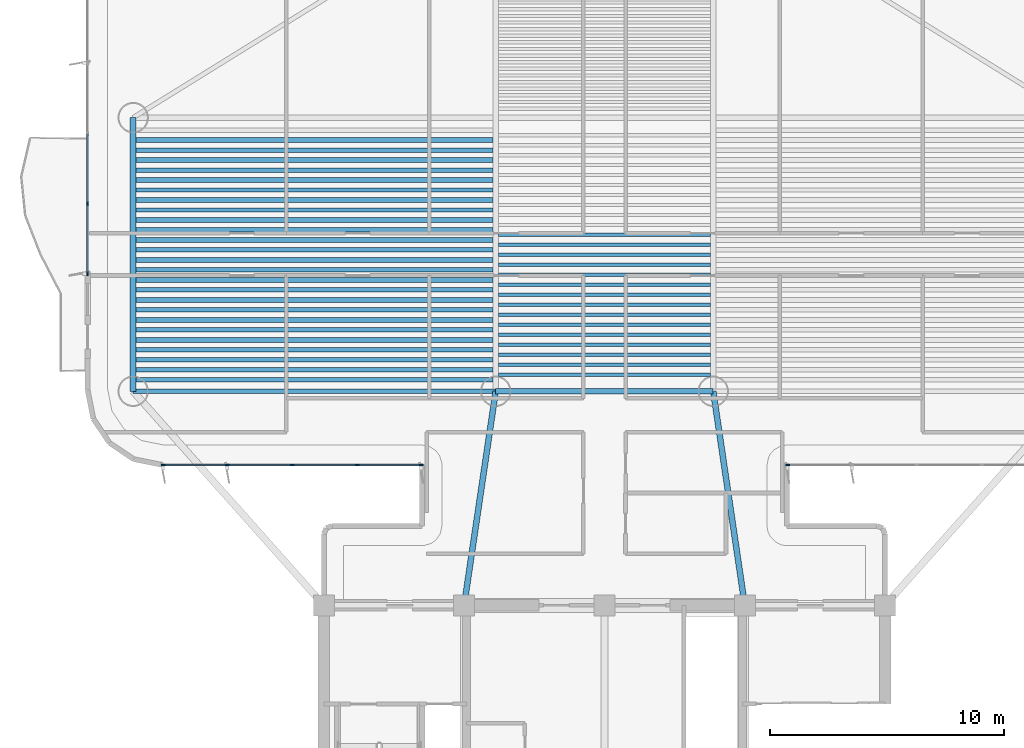
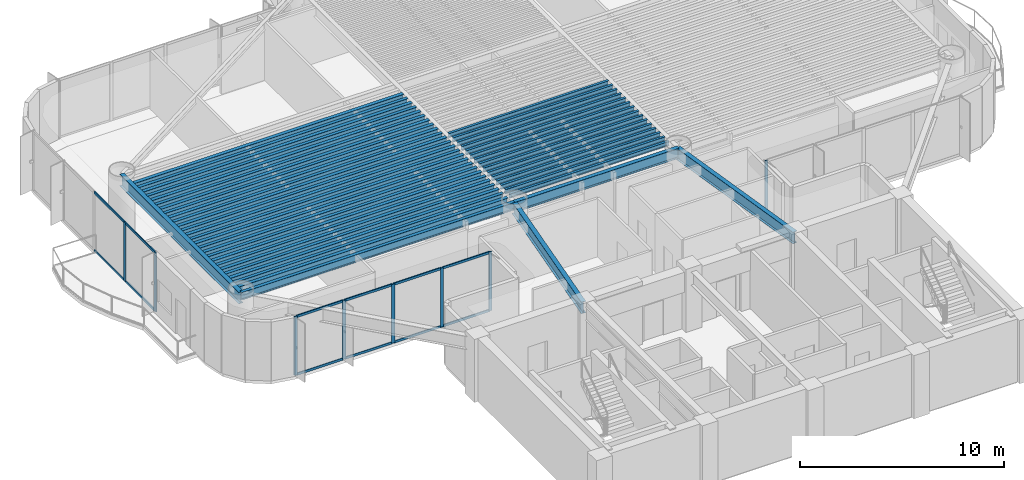
# One storey, part 2 of 16: 45 beams, 20 members, 3 elements without a shape of their own.
"""IFC4 building model written with IfcOpenShell, lengths in metres."""

import ifcopenshell
import ifcopenshell.guid

model = None  # the IFC model being written
_history = None  # IfcOwnerHistory: only IFC2X3 demands one
_inside = {}  # id of a spatial element -> (the spatial element, [elements in it])
_under = {}  # id of a project, library or spatial element -> (it, [spatial elements below it])
_declared = {}  # id of a project -> (the project, [libraries it declares])
_typed = {}  # id of a type object -> (the type object, [elements of that type])
_made_of = {}  # id of a material, layer set ... -> (it, [elements and type objects made of it])


def new_model(schema):
    """Start an empty IFC model of exactly this schema.

    Asked for "IFC4X3", IfcOpenShell would pick the latest addendum, in which some entities
    have other attributes; the version numbers below select the first issue.
    IFC2X3 requires an IfcOwnerHistory on every rooted entity: one is made here for all.
    """
    global model, _history
    if schema == "IFC4X3":
        model = ifcopenshell.file(schema_version=(4, 3, 0, 0))
    else:
        model = ifcopenshell.file(schema=schema)
    _inside.clear()
    _under.clear()
    _declared.clear()
    _typed.clear()
    _made_of.clear()
    _history = None
    if model.schema == "IFC2X3":
        org = make("IfcOrganization", Name="unknown")
        user = make(
            "IfcPersonAndOrganization",
            ThePerson=make("IfcPerson", FamilyName="unknown"),
            TheOrganization=org,
        )
        app = make(
            "IfcApplication",
            ApplicationDeveloper=org,
            Version="unknown",
            ApplicationFullName="unknown",
            ApplicationIdentifier="unknown",
        )
        _history = make(
            "IfcOwnerHistory",
            OwningUser=user,
            OwningApplication=app,
            ChangeAction="ADDED",
            CreationDate=0,
        )
    return model


def make(cls, **values):
    """One entity of the class cls with the attributes given. An attribute that is None is left unset."""
    return model.create_entity(
        cls, **{name: value for name, value in values.items() if value is not None}
    )


def rooted(cls, **values):
    """An entity with a GlobalId (a new one), such as an element, a storey or a relation."""
    return make(cls, GlobalId=ifcopenshell.guid.new(), OwnerHistory=_history, **values)


def si_unit(unit_type, name, prefix=None):
    """IfcSIUnit, for example si_unit("LENGTHUNIT", "METRE", prefix="MILLI")."""
    return make("IfcSIUnit", UnitType=unit_type, Prefix=prefix, Name=name)


def assignment(units):
    """IfcUnitAssignment: the units of a project."""
    return None if units is None else make("IfcUnitAssignment", Units=units)


def point(xyz):
    """IfcCartesianPoint."""
    return None if xyz is None else make("IfcCartesianPoint", Coordinates=xyz)


def direction(xyz):
    """IfcDirection."""
    return None if xyz is None else make("IfcDirection", DirectionRatios=xyz)


def frame(location, z_axis=None, x_axis=None):
    """IfcAxis2Placement3D, a coordinate frame: its origin and axes. An axis left out is left unset."""
    return make(
        "IfcAxis2Placement3D",
        Location=point(location),
        Axis=direction(z_axis),
        RefDirection=direction(x_axis),
    )


def frame_2d(location, x_axis=None):
    """IfcAxis2Placement2D, a coordinate frame in the plane: its origin and x axis."""
    return make(
        "IfcAxis2Placement2D", Location=point(location), RefDirection=direction(x_axis)
    )


def origin():
    """The frame at (0, 0, 0) with its axes left unset."""
    return frame((0.0, 0.0, 0.0))


def origin_2d():
    """The frame at (0, 0) in the plane with its x axis left unset."""
    return frame_2d((0.0, 0.0))


def place(relative_to, where):
    """IfcLocalPlacement: puts the frame where relative to a parent placement (None: the world)."""
    return make(
        "IfcLocalPlacement", PlacementRelTo=relative_to, RelativePlacement=where
    )


def context(
    kind, dimensions, precision=None, world=None, true_north=None, identifier=None
):
    """IfcGeometricRepresentationContext, for example the 3D "Model" context."""
    return make(
        "IfcGeometricRepresentationContext",
        ContextIdentifier=identifier,
        ContextType=kind,
        CoordinateSpaceDimension=dimensions,
        Precision=precision,
        WorldCoordinateSystem=world,
        TrueNorth=true_north,
    )


def subcontext(parent, identifier, kind, view, scale=None):
    """IfcGeometricRepresentationSubContext, for example "Body" below "Model"."""
    return make(
        "IfcGeometricRepresentationSubContext",
        ContextIdentifier=identifier,
        ContextType=kind,
        ParentContext=parent,
        TargetScale=scale,
        TargetView=view,
    )


def project(units=None, contexts=None):
    """IfcProject with its units and contexts."""
    return rooted(
        "IfcProject",
        Name="project",
        RepresentationContexts=contexts,
        UnitsInContext=assignment(units),
    )


def spatial(cls, under=None, at=None, **own):
    """A site, building, storey or space (cls), placed at a placement, below another one or the project."""
    s = rooted(cls, ObjectPlacement=at, **own)
    if under is not None:
        _under.setdefault(under.id(), (under, []))[1].append(s)
    return s


def profile(cls, at=None, kind="AREA", **sizes):
    """A parametric profile (cls). Its sizes go by their IFC names, for example OverallWidth=200.0."""
    return make(cls, ProfileType=kind, Position=at, **sizes)


def rectangle(**sizes):
    """IfcRectangleProfileDef."""
    return profile("IfcRectangleProfileDef", **sizes)


def i_section(**sizes):
    """IfcIShapeProfileDef."""
    return profile("IfcIShapeProfileDef", **sizes)


def extrude(swept, where, along, depth):
    """IfcExtrudedAreaSolid: the profile swept, set in the frame where, extruded along a direction by depth."""
    return make(
        "IfcExtrudedAreaSolid",
        SweptArea=swept,
        Position=where,
        ExtrudedDirection=direction(along),
        Depth=depth,
    )


def shape(context_of_items, identifier, shape_type, items):
    """IfcShapeRepresentation: the items that make up one representation, for example the "Body"."""
    return make(
        "IfcShapeRepresentation",
        ContextOfItems=context_of_items,
        RepresentationIdentifier=identifier,
        RepresentationType=shape_type,
        Items=items,
    )


def source(mapping_origin, context_of_items, identifier, shape_type, items):
    """IfcRepresentationMap: a shape defined once, which mapped items show again and again."""
    return make(
        "IfcRepresentationMap",
        MappingOrigin=mapping_origin,
        MappedRepresentation=shape(context_of_items, identifier, shape_type, items),
    )


def transform(
    local_origin,
    x_axis=None,
    y_axis=None,
    z_axis=None,
    scale=None,
    scale2=None,
    scale3=None,
    uniform=True,
):
    """IfcCartesianTransformationOperator3D, or its non-uniform kind. x_axis, y_axis, z_axis: its Axis1, 2, 3."""
    if uniform:
        return make(
            "IfcCartesianTransformationOperator3D",
            Axis1=direction(x_axis),
            Axis2=direction(y_axis),
            LocalOrigin=point(local_origin),
            Scale=scale,
            Axis3=direction(z_axis),
        )
    return make(
        "IfcCartesianTransformationOperator3DnonUniform",
        Axis1=direction(x_axis),
        Axis2=direction(y_axis),
        LocalOrigin=point(local_origin),
        Scale=scale,
        Axis3=direction(z_axis),
        Scale2=scale2,
        Scale3=scale3,
    )


def mapped(mapping_source, mapping_target):
    """IfcMappedItem: shows the shape of a source again, moved by a transform."""
    return make(
        "IfcMappedItem", MappingSource=mapping_source, MappingTarget=mapping_target
    )


def material(Name=None, Category=None):
    """IfcMaterial."""
    return make("IfcMaterial", Name=Name, Category=Category)


def layer(
    of_material, thickness, ventilated=None, Name=None, Category=None, Priority=None
):
    """IfcMaterialLayer: one layer of a wall or slab, of a material (None: an air gap)."""
    return make(
        "IfcMaterialLayer",
        Material=of_material,
        LayerThickness=thickness,
        IsVentilated=ventilated,
        Name=Name,
        Category=Category,
        Priority=Priority,
    )


def layer_set(layers, Name=None):
    """IfcMaterialLayerSet."""
    return make("IfcMaterialLayerSet", MaterialLayers=layers, LayerSetName=Name)


def material_profile(
    of_material, cross_section, Name=None, Category=None, Priority=None
):
    """IfcMaterialProfile: a cross section and its material."""
    return make(
        "IfcMaterialProfile",
        Name=Name,
        Material=of_material,
        Profile=cross_section,
        Priority=Priority,
        Category=Category,
    )


def profile_set(profiles, Name=None, composite=None):
    """IfcMaterialProfileSet."""
    return make(
        "IfcMaterialProfileSet",
        Name=Name,
        MaterialProfiles=profiles,
        CompositeProfile=composite,
    )


def made_of(thing, what):
    """Note that an element or type object is made of a material, layer set ...; save() writes the relation."""
    if what is not None:
        _made_of.setdefault(what.id(), (what, []))[1].append(thing)
    return thing


def type_object(cls, material=None, **own):
    """A type object (cls), such as IfcWallType, which elements share."""
    return made_of(rooted(cls, **own), material)


def element(
    cls,
    number,
    at=None,
    inside=None,
    cuts=None,
    type_object=None,
    material=None,
    context=None,
    identifier="Body",
    shape_type=None,
    held_by="IfcProductDefinitionShape",
    body=None,
    shapes=None,
    **own,
):
    """One element of the class cls, such as IfcWall. Its Tag is "e" and its number.

    at: its placement. inside: the storey or other place that contains it. cuts: it is an
    opening in that element (IfcRelVoidsElement). A single representation is given by context,
    identifier, shape_type and body (its items); several are given by shapes. held_by: the class
    of the entity that holds the representations. save() writes the other relations.
    """
    e = rooted(cls, Tag="e%d" % number, ObjectPlacement=at, **own)
    if body is not None:
        shapes = [shape(context, identifier, shape_type, body)]
    if shapes is not None:
        e.Representation = make(held_by, Representations=shapes)
    if inside is not None:
        _inside.setdefault(inside.id(), (inside, []))[1].append(e)
    if cuts is not None:
        rooted(
            "IfcRelVoidsElement", RelatingBuildingElement=cuts, RelatedOpeningElement=e
        )
    if type_object is not None:
        _typed.setdefault(type_object.id(), (type_object, []))[1].append(e)
    return made_of(e, material)


def aggregate(whole, parts):
    """IfcRelAggregates: a whole, such as a stair, and the parts it consists of."""
    return rooted("IfcRelAggregates", RelatingObject=whole, RelatedObjects=parts)


def save(model, path):
    """Write the relations noted so far, then the file.

    IfcRelAggregates (storeys below a building ...), IfcRelContainedInSpatialStructure (elements
    in a storey), IfcRelDefinesByType, IfcRelAssociatesMaterial and IfcRelDeclares: one each for
    every whole, place, type object, material and project.
    """
    for whole, parts in _under.values():
        aggregate(whole, parts)
    for where, things in _inside.values():
        rooted(
            "IfcRelContainedInSpatialStructure",
            RelatedElements=things,
            RelatingStructure=where,
        )
    for kind, things in _typed.values():
        rooted("IfcRelDefinesByType", RelatedObjects=things, RelatingType=kind)
    for what, things in _made_of.values():
        rooted("IfcRelAssociatesMaterial", RelatedObjects=things, RelatingMaterial=what)
    for by, libraries in _declared.values():
        rooted("IfcRelDeclares", RelatingContext=by, RelatedDefinitions=libraries)
    model.write(path)


model = new_model("IFC4")

# Units and contexts
model_context = context("Model", 3, precision=1e-05, world=origin(), true_north=direction((0.0, 1.0)))
body_context = subcontext(model_context, "Body", "Model", "MODEL_VIEW")
ifc_project = project(units=[si_unit("LENGTHUNIT", "METRE"), si_unit("AREAUNIT", "SQUARE_METRE"), si_unit("VOLUMEUNIT", "CUBIC_METRE"), si_unit("PLANEANGLEUNIT", "RADIAN"), si_unit("MASSUNIT", "GRAM", prefix="KILO")], contexts=[model_context])

# Site, building, storey
site_placement = place(None, origin())
site = spatial("IfcSite", under=ifc_project, at=site_placement, CompositionType="ELEMENT")
building_placement = place(site_placement, origin())
building = spatial("IfcBuilding", under=site, at=building_placement, Name="Brelvock Crest Care Tower", CompositionType="ELEMENT")
storey_placement = place(building_placement, frame((0.0, 0.0, 116.280029296875)))
storey = spatial("IfcBuildingStorey", under=building, at=storey_placement, Name="L29", CompositionType="ELEMENT", Elevation=116.280029296875)

# Beams
ifc_material_1 = material(Name="Steel Grade 350", Category="steel")
ifc_material_profile_1 = material_profile(ifc_material_1, i_section(OverallWidth=0.22900390625, OverallDepth=0.612060546875, WebThickness=0.011962890625, FlangeThickness=0.01953125, FilletRadius=0.013916015625, at=origin_2d()), Name="610UB125")
ifc_profile_set_1 = profile_set([ifc_material_profile_1], Name="Steel Grade 350")
beam_type_1 = type_object("IfcBeamType", Name="BM-G1", PredefinedType="BEAM", material=ifc_profile_set_1)
shared_shape_1 = source(origin(), body_context, "Body", "SweptSolid", [
    extrude(i_section(OverallWidth=0.22900390625, OverallDepth=0.612060546875, WebThickness=0.011962890625, FlangeThickness=0.01953125, FilletRadius=0.013916015625, at=origin_2d()), origin(), (0.0, 0.0, 1.0), 9.2998046875),
])
beam_1_placement = place(storey_placement, frame((31.35009765625, 27.14990234375, 3.223876953125), z_axis=(1.0, 0.0, 0.0), x_axis=(0.0, 1.0, 0.0)))
element("IfcBeam", 1, at=beam_1_placement, inside=storey, type_object=beam_type_1, Name="BM-TWR-L29-05", PredefinedType="BEAM", context=body_context, shape_type="MappedRepresentation", body=[
    mapped(shared_shape_1, transform((0.0, 0.0, 0.0), x_axis=(1.0, 0.0, 0.0), y_axis=(0.0, 1.0, 0.0), z_axis=(0.0, 0.0, 1.0), scale=1.0)),
])
ifc_material_profile_2 = material_profile(ifc_material_1, i_section(OverallWidth=0.14599609375, OverallDepth=0.256103515625, WebThickness=0.00634765625, FlangeThickness=0.010986328125, FilletRadius=0.0087890625, at=origin_2d()), Name="250UB37.3")
ifc_profile_set_2 = profile_set([ifc_material_profile_2], Name="Steel Grade 350")
beam_type_2 = type_object("IfcBeamType", Name="BM-J3", PredefinedType="JOIST", material=ifc_profile_set_2)
shared_shape_2 = source(origin(), body_context, "Body", "SweptSolid", [
    extrude(i_section(OverallWidth=0.14599609375, OverallDepth=0.256103515625, WebThickness=0.00634765625, FlangeThickness=0.010986328125, FilletRadius=0.0087890625, at=origin_2d()), origin(), (0.0, 0.0, 1.0), 9.06982421875),
])
for number, where, z_axis, x_axis, name in (
    (2, (31.465087890625, 27.85498046875, 3.40185546875), (1.0, 0.0, 0.0), (0.0, 1.0, 0.0), "BM-JH-L29-1"),
    (3, (31.465087890625, 28.281982421875, 3.40185546875), (1.0, 0.0, 0.0), (0.0, 1.0, 0.0), "BM-JH-L29-2"),
    (4, (31.465087890625, 28.708984375, 3.40185546875), (1.0, 0.0, 0.0), (0.0, 1.0, 0.0), "BM-JH-L29-3"),
    (5, (31.465087890625, 29.135986328125, 3.40185546875), (1.0, 0.0, 0.0), (0.0, 1.0, 0.0), "BM-JH-L29-4"),
    (6, (31.465087890625, 29.56298828125, 3.40185546875), (1.0, 0.0, 0.0), (0.0, 1.0, 0.0), "BM-JH-L29-5"),
    (7, (31.465087890625, 29.990234375, 3.40185546875), (1.0, 0.0, 0.0), (0.0, 1.0, 0.0), "BM-JH-L29-6"),
    (8, (31.465087890625, 30.417236328125, 3.40185546875), (1.0, 0.0, 0.0), (0.0, 1.0, 0.0), "BM-JH-L29-7"),
    (9, (31.465087890625, 30.84423828125, 3.40185546875), (1.0, 0.0, 0.0), (0.0, 1.0, 0.0), "BM-JH-L29-8"),
    (10, (31.465087890625, 31.271240234375, 3.40185546875), (1.0, 0.0, 0.0), (0.0, 1.0, 0.0), "BM-JH-L29-9"),
    (11, (31.465087890625, 31.698486328125, 3.40185546875), (1.0, 0.0, 0.0), (0.0, 1.0, 0.0), "BM-JH-L29-10"),
    (12, (31.465087890625, 32.12548828125, 3.40185546875), (1.0, 0.0, 0.0), (0.0, 1.0, 0.0), "BM-JH-L29-11"),
    (13, (31.465087890625, 32.552490234375, 3.40185546875), (1.0, 0.0, 0.0), (0.0, 1.0, 0.0), "BM-JH-L29-12"),
    (14, (31.465087890625, 32.9794921875, 3.40185546875), (1.0, 0.0, 0.0), (0.0, 1.0, 0.0), "BM-JH-L29-13"),
    (15, (31.465087890625, 33.406494140625, 3.40185546875), (1.0, 0.0, 0.0), (0.0, 1.0, 0.0), "BM-JH-L29-14"),
    (16, (31.465087890625, 33.83349609375, 3.40185546875), (1.0, 0.0, 0.0), (0.0, 1.0, 0.0), "BM-JH-L29-15"),
):
    element("IfcBeam", number, at=place(storey_placement, frame(where, z_axis=z_axis, x_axis=x_axis)), inside=storey, type_object=beam_type_2, Name=name, PredefinedType="JOIST", context=body_context, shape_type="MappedRepresentation", body=[
        mapped(shared_shape_2, transform((0.0, 0.0, 0.0), x_axis=(1.0, 0.0, 0.0), y_axis=(0.0, 1.0, 0.0), z_axis=(0.0, 0.0, 1.0), scale=1.0)),
    ])
ifc_material_profile_3 = material_profile(ifc_material_1, i_section(OverallWidth=0.208984375, OverallDepth=0.532958984375, WebThickness=0.01025390625, FlangeThickness=0.015625, FilletRadius=0.013916015625, at=origin_2d()), Name="530UB92.4")
ifc_profile_set_3 = profile_set([ifc_material_profile_3], Name="Steel Grade 350")
beam_type_3 = type_object("IfcBeamType", Name="BM-G2", PredefinedType="BEAM", material=ifc_profile_set_3)
shared_shape_3 = source(origin(), body_context, "Body", "SweptSolid", [
    extrude(i_section(OverallWidth=0.208984375, OverallDepth=0.532958984375, WebThickness=0.01025390625, FlangeThickness=0.015625, FilletRadius=0.013916015625, at=origin_2d()), origin(), (0.0, 0.0, 1.0), 15.27001953125),
])
for number, where, z_axis, x_axis, name in (
    (17, (15.965087890625, 27.641357421875, 3.263427734375), (1.0, 0.0, 0.0), (0.0, 1.0, 0.0), "BM-JW-L29-1"),
    (18, (15.965087890625, 28.49560546875, 3.263427734375), (1.0, 0.0, 0.0), (0.0, 1.0, 0.0), "BM-JW-L29-3"),
    (19, (15.965087890625, 29.349609375, 3.263427734375), (1.0, 0.0, 0.0), (0.0, 1.0, 0.0), "BM-JW-L29-5"),
    (20, (15.965087890625, 30.20361328125, 3.263427734375), (1.0, 0.0, 0.0), (0.0, 1.0, 0.0), "BM-JW-L29-7"),
    (21, (15.965087890625, 31.057861328125, 3.263427734375), (1.0, 0.0, 0.0), (0.0, 1.0, 0.0), "BM-JW-L29-9"),
    (22, (15.965087890625, 31.911865234375, 3.263427734375), (1.0, 0.0, 0.0), (0.0, 1.0, 0.0), "BM-JW-L29-11"),
    (23, (15.965087890625, 32.76611328125, 3.263427734375), (1.0, 0.0, 0.0), (0.0, 1.0, 0.0), "BM-JW-L29-13"),
    (24, (15.965087890625, 33.6201171875, 3.263427734375), (1.0, 0.0, 0.0), (0.0, 1.0, 0.0), "BM-JW-L29-15"),
    (25, (15.965087890625, 34.47412109375, 3.263427734375), (1.0, 0.0, 0.0), (0.0, 1.0, 0.0), "BM-JW-L29-17"),
    (26, (15.965087890625, 35.328369140625, 3.263427734375), (1.0, 0.0, 0.0), (0.0, 1.0, 0.0), "BM-JW-L29-19"),
    (27, (15.965087890625, 36.182373046875, 3.263427734375), (1.0, 0.0, 0.0), (0.0, 1.0, 0.0), "BM-JW-L29-21"),
    (28, (15.965087890625, 37.03662109375, 3.263427734375), (1.0, 0.0, 0.0), (0.0, 1.0, 0.0), "BM-JW-L29-23"),
    (29, (15.965087890625, 37.890625, 3.263427734375), (1.0, 0.0, 0.0), (0.0, 1.0, 0.0), "BM-JW-L29-25"),
):
    element("IfcBeam", number, at=place(storey_placement, frame(where, z_axis=z_axis, x_axis=x_axis)), inside=storey, type_object=beam_type_3, Name=name, PredefinedType="BEAM", context=body_context, shape_type="MappedRepresentation", body=[
        mapped(shared_shape_3, transform((0.0, 0.0, 0.0), x_axis=(1.0, 0.0, 0.0), y_axis=(0.0, 1.0, 0.0), z_axis=(0.0, 0.0, 1.0), scale=1.0)),
    ])
ifc_material_profile_4 = material_profile(ifc_material_1, i_section(OverallWidth=0.19091796875, OverallDepth=0.4599609375, WebThickness=0.010009765625, FlangeThickness=0.01611328125, FilletRadius=0.011474609375, at=origin_2d()), Name="460UB82.1")
ifc_profile_set_4 = profile_set([ifc_material_profile_4], Name="Steel Grade 350")
beam_type_4 = type_object("IfcBeamType", Name="BM-G3", PredefinedType="BEAM", material=ifc_profile_set_4)
shared_shape_4 = source(origin(), body_context, "Body", "SweptSolid", [
    extrude(i_section(OverallWidth=0.19091796875, OverallDepth=0.4599609375, WebThickness=0.010009765625, FlangeThickness=0.01611328125, FilletRadius=0.011474609375, at=origin_2d()), origin(), (0.0, 0.0, 1.0), 15.27001953125),
])
for number, where, z_axis, x_axis, name in (
    (30, (15.965087890625, 28.068359375, 3.300048828125), (1.0, 0.0, 0.0), (0.0, 1.0, 0.0), "BM-JW-L29-2"),
    (31, (15.965087890625, 28.922607421875, 3.300048828125), (1.0, 0.0, 0.0), (0.0, 1.0, 0.0), "BM-JW-L29-4"),
    (32, (15.965087890625, 29.776611328125, 3.300048828125), (1.0, 0.0, 0.0), (0.0, 1.0, 0.0), "BM-JW-L29-6"),
    (33, (15.965087890625, 30.630615234375, 3.300048828125), (1.0, 0.0, 0.0), (0.0, 1.0, 0.0), "BM-JW-L29-8"),
    (34, (15.965087890625, 31.48486328125, 3.300048828125), (1.0, 0.0, 0.0), (0.0, 1.0, 0.0), "BM-JW-L29-10"),
    (35, (15.965087890625, 32.3388671875, 3.300048828125), (1.0, 0.0, 0.0), (0.0, 1.0, 0.0), "BM-JW-L29-12"),
    (36, (15.965087890625, 33.193115234375, 3.300048828125), (1.0, 0.0, 0.0), (0.0, 1.0, 0.0), "BM-JW-L29-14"),
    (37, (15.965087890625, 34.047119140625, 3.300048828125), (1.0, 0.0, 0.0), (0.0, 1.0, 0.0), "BM-JW-L29-16"),
    (38, (15.965087890625, 34.901123046875, 3.300048828125), (1.0, 0.0, 0.0), (0.0, 1.0, 0.0), "BM-JW-L29-18"),
    (39, (15.965087890625, 35.75537109375, 3.300048828125), (1.0, 0.0, 0.0), (0.0, 1.0, 0.0), "BM-JW-L29-20"),
    (40, (15.965087890625, 36.609619140625, 3.300048828125), (1.0, 0.0, 0.0), (0.0, 1.0, 0.0), "BM-JW-L29-22"),
    (41, (15.965087890625, 37.46337890625, 3.300048828125), (1.0, 0.0, 0.0), (0.0, 1.0, 0.0), "BM-JW-L29-24"),
):
    element("IfcBeam", number, at=place(storey_placement, frame(where, z_axis=z_axis, x_axis=x_axis)), inside=storey, type_object=beam_type_4, Name=name, PredefinedType="BEAM", context=body_context, shape_type="MappedRepresentation", body=[
        mapped(shared_shape_4, transform((0.0, 0.0, 0.0), x_axis=(1.0, 0.0, 0.0), y_axis=(0.0, 1.0, 0.0), z_axis=(0.0, 0.0, 1.0), scale=1.0)),
    ])
ifc_material_profile_5 = material_profile(ifc_material_1, i_section(OverallWidth=0.25, OverallDepth=0.699951171875, WebThickness=0.011962890625, FlangeThickness=0.02001953125, at=origin_2d()), Name="700WB150")
ifc_profile_set_5 = profile_set([ifc_material_profile_5], Name="Steel Grade 350")
beam_type_5 = type_object("IfcBeamType", Name="BM-G4", PredefinedType="BEAM", material=ifc_profile_set_5)
shared_shape_5 = source(origin(), body_context, "Body", "SweptSolid", [
    extrude(i_section(OverallWidth=0.25, OverallDepth=0.699951171875, WebThickness=0.011962890625, FlangeThickness=0.02001953125, at=origin_2d()), origin(), (0.0, 0.0, 1.0), 11.7001953125),
])
beam_2_placement = place(storey_placement, frame((15.85009765625, 27.14990234375, 3.179931640625), z_axis=(0.0, 1.0, 0.0), x_axis=(-1.0, 0.0, 0.0)))
element("IfcBeam", 42, at=beam_2_placement, inside=storey, type_object=beam_type_5, Name="BM-TWR-L29-01", PredefinedType="BEAM", context=body_context, shape_type="MappedRepresentation", body=[
    mapped(shared_shape_5, transform((0.0, 0.0, 0.0), x_axis=(1.0, 0.0, 0.0), y_axis=(0.0, 1.0, 0.0), z_axis=(0.0, 0.0, 1.0), scale=1.0)),
])
ifc_material_profile_6 = material_profile(ifc_material_1, i_section(OverallWidth=0.19091796875, OverallDepth=0.4599609375, WebThickness=0.010009765625, FlangeThickness=0.01611328125, FilletRadius=0.011474609375, at=origin_2d()), Name="460UB82.1")
ifc_profile_set_6 = profile_set([ifc_material_profile_6], Name="Steel Grade 350")
beam_type_6 = type_object("IfcBeamType", Name="BM-SP2", PredefinedType="SPANDREL", material=ifc_profile_set_6)
shared_shape_6 = source(origin(), body_context, "Body", "SweptSolid", [
    extrude(i_section(OverallWidth=0.19091796875, OverallDepth=0.4599609375, WebThickness=0.010009765625, FlangeThickness=0.01611328125, FilletRadius=0.011474609375, at=origin_2d()), origin(), (0.0, 0.0, 1.0), 15.5),
])
beam_3_placement = place(storey_placement, frame((15.85009765625, 27.14990234375, 3.300048828125), z_axis=(1.0, 0.0, 0.0), x_axis=(0.0, 1.0, 0.0)))
element("IfcBeam", 43, at=beam_3_placement, inside=storey, type_object=beam_type_6, Name="BM-TWR-L29-03", PredefinedType="SPANDREL", context=body_context, shape_type="MappedRepresentation", body=[
    mapped(shared_shape_6, transform((0.0, 0.0, 0.0), x_axis=(1.0, 0.0, 0.0), y_axis=(0.0, 1.0, 0.0), z_axis=(0.0, 0.0, 1.0), scale=1.0)),
])
shared_shape_7 = source(origin(), body_context, "Body", "SweptSolid", [
    extrude(i_section(OverallWidth=0.25, OverallDepth=0.699951171875, WebThickness=0.011962890625, FlangeThickness=0.02001953125, at=origin_2d()), origin(), (0.0, 0.0, 1.0), 9.2490234375),
])
for number, where, z_axis, x_axis, name in (
    (44, (30.0, 18.0, 3.179931640625), (0.145972731602, 0.989288613918, 0.0), (-0.989288613918, 0.145972731602, 0.0), "BM-THRW-L29"),
    (45, (42.0, 18.0, 3.179931640625), (-0.145972731602, 0.989288613918, 0.0), (-0.989288613918, -0.145972731602, 0.0), "BM-THRE-L29"),
):
    element("IfcBeam", number, at=place(storey_placement, frame(where, z_axis=z_axis, x_axis=x_axis)), inside=storey, type_object=beam_type_5, Name=name, PredefinedType="BEAM", context=body_context, shape_type="MappedRepresentation", body=[
        mapped(shared_shape_7, transform((0.0, 0.0, 0.0), x_axis=(1.0, 0.0, 0.0), y_axis=(0.0, 1.0, 0.0), z_axis=(0.0, 0.0, 1.0), scale=1.0)),
    ])

# Curtain wall, members
ifc_material_2 = material(Name="Dark Glass Double Glazed Low-E", Category="glass")
ifc_layer = layer(ifc_material_2, 0.2099609375, Name="CWS-3")
ifc_layer_set = layer_set([ifc_layer], Name="Dark Glass Double Glazed Low-E")
curtain_wall_type = type_object("IfcCurtainWallType", Name="CWS-3", PredefinedType="NOTDEFINED", material=ifc_layer_set)
curtain_wall_1_placement = place(storey_placement, origin())
curtain_wall_1 = element("IfcCurtainWall", 46, at=curtain_wall_1_placement, inside=storey, type_object=curtain_wall_type, Name="L29 Curtain Wall E12", PredefinedType="NOTDEFINED")
ifc_material_3 = material(Name="Aluminium 6063-T6", Category="aluminium")
ifc_material_profile_7 = material_profile(ifc_material_3, rectangle(XDim=0.06005859375, YDim=0.179931640625, at=origin_2d()), Name="ALU60x180")
ifc_profile_set_7 = profile_set([ifc_material_profile_7], Name="Aluminium 6063-T6")
member_type_1 = type_object("IfcMemberType", Name="CWM-2", PredefinedType="MULLION", material=ifc_profile_set_7)
shared_shape_8 = source(origin(), body_context, "Body", "SweptSolid", [
    extrude(rectangle(XDim=0.06005859375, YDim=0.179931640625, at=origin_2d()), origin(), (0.0, 0.0, 1.0), 3.530029296875),
])
member_1_placement = place(storey_placement, frame((28.169921875, 24.0, 0.0), z_axis=(0.0, 0.0, 1.0), x_axis=(0.0, -1.0, 0.0)))
member_1 = element("IfcMember", 47, at=member_1_placement, type_object=member_type_1, Name="CW-3 mullion 1", PredefinedType="MULLION", context=body_context, shape_type="MappedRepresentation", body=[
    mapped(shared_shape_8, transform((0.0, 0.0, 0.0), x_axis=(1.0, 0.0, 0.0), y_axis=(0.0, 1.0, 0.0), z_axis=(0.0, 0.0, 1.0), scale=1.0)),
])
member_2_placement = place(storey_placement, frame((25.425048828125, 24.0, 0.0), z_axis=(0.0, 0.0, 1.0), x_axis=(0.0, -1.0, 0.0)))
member_2 = element("IfcMember", 48, at=member_2_placement, type_object=member_type_1, Name="CW-3 mullion 2", PredefinedType="MULLION", context=body_context, shape_type="MappedRepresentation", body=[
    mapped(shared_shape_8, transform((0.0, 0.0, 0.0), x_axis=(1.0, 0.0, 0.0), y_axis=(0.0, 1.0, 0.0), z_axis=(0.0, 0.0, 1.0), scale=1.0)),
])
member_3_placement = place(storey_placement, frame((22.64990234375, 24.0, 0.0), z_axis=(0.0, 0.0, 1.0), x_axis=(0.0, -1.0, 0.0)))
member_3 = element("IfcMember", 49, at=member_3_placement, type_object=member_type_1, Name="CW-3 mullion 3", PredefinedType="MULLION", context=body_context, shape_type="MappedRepresentation", body=[
    mapped(shared_shape_8, transform((0.0, 0.0, 0.0), x_axis=(1.0, 0.0, 0.0), y_axis=(0.0, 1.0, 0.0), z_axis=(0.0, 0.0, 1.0), scale=1.0)),
])
member_4_placement = place(storey_placement, frame((19.875, 24.0, 0.0), z_axis=(0.0, 0.0, 1.0), x_axis=(0.0, -1.0, 0.0)))
member_4 = element("IfcMember", 50, at=member_4_placement, type_object=member_type_1, Name="CW-3 mullion 4", PredefinedType="MULLION", context=body_context, shape_type="MappedRepresentation", body=[
    mapped(shared_shape_8, transform((0.0, 0.0, 0.0), x_axis=(1.0, 0.0, 0.0), y_axis=(0.0, 1.0, 0.0), z_axis=(0.0, 0.0, 1.0), scale=1.0)),
])
member_5_placement = place(storey_placement, frame((17.1298828125, 24.0, 0.0), z_axis=(0.0, 0.0, 1.0), x_axis=(0.0, -1.0, 0.0)))
member_5 = element("IfcMember", 51, at=member_5_placement, type_object=member_type_1, Name="CW-3 mullion 5", PredefinedType="MULLION", context=body_context, shape_type="MappedRepresentation", body=[
    mapped(shared_shape_8, transform((0.0, 0.0, 0.0), x_axis=(1.0, 0.0, 0.0), y_axis=(0.0, 1.0, 0.0), z_axis=(0.0, 0.0, 1.0), scale=1.0)),
])

curtain_wall_2_placement = place(storey_placement, origin())
curtain_wall_2 = element("IfcCurtainWall", 52, at=curtain_wall_2_placement, inside=storey, type_object=curtain_wall_type, Name="L29 Curtain Wall E17B", PredefinedType="NOTDEFINED")
member_6_placement = place(storey_placement, frame((13.89990234375, 32.179931640625, 0.0), z_axis=(0.0, 0.0, 1.0), x_axis=(-1.0, 0.0, 0.0)))
member_6 = element("IfcMember", 53, at=member_6_placement, type_object=member_type_1, Name="CW-3 mullion 1", PredefinedType="MULLION", context=body_context, shape_type="MappedRepresentation", body=[
    mapped(shared_shape_8, transform((0.0, 0.0, 0.0), x_axis=(1.0, 0.0, 0.0), y_axis=(0.0, 1.0, 0.0), z_axis=(0.0, 0.0, 1.0), scale=1.0)),
])
member_7_placement = place(storey_placement, frame((13.89990234375, 35.16259765625, 0.0), z_axis=(0.0, 0.0, 1.0), x_axis=(-1.0, 0.0, 0.0)))
member_7 = element("IfcMember", 54, at=member_7_placement, type_object=member_type_1, Name="CW-3 mullion 2", PredefinedType="MULLION", context=body_context, shape_type="MappedRepresentation", body=[
    mapped(shared_shape_8, transform((0.0, 0.0, 0.0), x_axis=(1.0, 0.0, 0.0), y_axis=(0.0, 1.0, 0.0), z_axis=(0.0, 0.0, 1.0), scale=1.0)),
])

# Curtain wall, member
curtain_wall_3_placement = place(storey_placement, origin())
curtain_wall_3 = element("IfcCurtainWall", 55, at=curtain_wall_3_placement, inside=storey, type_object=curtain_wall_type, Name="L29 Curtain Wall E44", PredefinedType="NOTDEFINED")
member_8_placement = place(storey_placement, frame((43.830078125, 24.0, 0.0), z_axis=(0.0, 0.0, 1.0), x_axis=(0.0, -1.0, 0.0)))
member_8 = element("IfcMember", 56, at=member_8_placement, type_object=member_type_1, Name="CW-3 mullion 5", PredefinedType="MULLION", context=body_context, shape_type="MappedRepresentation", body=[
    mapped(shared_shape_8, transform((0.0, 0.0, 0.0), x_axis=(1.0, 0.0, 0.0), y_axis=(0.0, 1.0, 0.0), z_axis=(0.0, 0.0, 1.0), scale=1.0)),
])
aggregate(curtain_wall_3, [member_8])

# Member
ifc_material_profile_8 = material_profile(ifc_material_3, rectangle(XDim=0.06005859375, YDim=0.139892578125, at=origin_2d()), Name="ALU60x140")
ifc_profile_set_8 = profile_set([ifc_material_profile_8], Name="Aluminium 6063-T6")
member_type_2 = type_object("IfcMemberType", Name="CWT-2", PredefinedType="USERDEFINED", material=ifc_profile_set_8)
shared_shape_9 = source(origin(), body_context, "Body", "SweptSolid", [
    extrude(rectangle(XDim=0.06005859375, YDim=0.139892578125, at=origin_2d()), origin(), (0.0, 0.0, 1.0), 2.684814453125),
])
member_9_placement = place(storey_placement, frame((28.139892578125, 24.0, 0.030029296875), z_axis=(-1.0, 0.0, 0.0), x_axis=(0.0, -1.0, 0.0)))
member_9 = element("IfcMember", 57, at=member_9_placement, type_object=member_type_2, Name="CW-3 transom 1.1", ObjectType="TRANSOM", PredefinedType="USERDEFINED", context=body_context, shape_type="MappedRepresentation", body=[
    mapped(shared_shape_9, transform((0.0, 0.0, 0.0), x_axis=(1.0, 0.0, 0.0), y_axis=(0.0, 1.0, 0.0), z_axis=(0.0, 0.0, 1.0), scale=1.0)),
])

member_10_placement = place(storey_placement, frame((28.139892578125, 24.0, 3.5), z_axis=(-1.0, 0.0, 0.0), x_axis=(0.0, -1.0, 0.0)))
member_10 = element("IfcMember", 58, at=member_10_placement, type_object=member_type_2, Name="CW-3 transom 1.2", ObjectType="TRANSOM", PredefinedType="USERDEFINED", context=body_context, shape_type="MappedRepresentation", body=[
    mapped(shared_shape_9, transform((0.0, 0.0, 0.0), x_axis=(1.0, 0.0, 0.0), y_axis=(0.0, 1.0, 0.0), z_axis=(0.0, 0.0, 1.0), scale=1.0)),
])

shared_shape_10 = source(origin(), body_context, "Body", "SweptSolid", [
    extrude(rectangle(XDim=0.06005859375, YDim=0.139892578125, at=origin_2d()), origin(), (0.0, 0.0, 1.0), 2.715087890625),
])
member_11_placement = place(storey_placement, frame((25.39501953125, 24.0, 0.030029296875), z_axis=(-1.0, 0.0, 0.0), x_axis=(0.0, -1.0, 0.0)))
member_11 = element("IfcMember", 59, at=member_11_placement, type_object=member_type_2, Name="CW-3 transom 2.1", ObjectType="TRANSOM", PredefinedType="USERDEFINED", context=body_context, shape_type="MappedRepresentation", body=[
    mapped(shared_shape_10, transform((0.0, 0.0, 0.0), x_axis=(1.0, 0.0, 0.0), y_axis=(0.0, 1.0, 0.0), z_axis=(0.0, 0.0, 1.0), scale=1.0)),
])

member_12_placement = place(storey_placement, frame((25.39501953125, 24.0, 3.5), z_axis=(-1.0, 0.0, 0.0), x_axis=(0.0, -1.0, 0.0)))
member_12 = element("IfcMember", 60, at=member_12_placement, type_object=member_type_2, Name="CW-3 transom 2.2", ObjectType="TRANSOM", PredefinedType="USERDEFINED", context=body_context, shape_type="MappedRepresentation", body=[
    mapped(shared_shape_10, transform((0.0, 0.0, 0.0), x_axis=(1.0, 0.0, 0.0), y_axis=(0.0, 1.0, 0.0), z_axis=(0.0, 0.0, 1.0), scale=1.0)),
])

member_13_placement = place(storey_placement, frame((22.6201171875, 24.0, 0.030029296875), z_axis=(-1.0, 0.0, 0.0), x_axis=(0.0, -1.0, 0.0)))
member_13 = element("IfcMember", 61, at=member_13_placement, type_object=member_type_2, Name="CW-3 transom 3.1", ObjectType="TRANSOM", PredefinedType="USERDEFINED", context=body_context, shape_type="MappedRepresentation", body=[
    mapped(shared_shape_10, transform((0.0, 0.0, 0.0), x_axis=(1.0, 0.0, 0.0), y_axis=(0.0, 1.0, 0.0), z_axis=(0.0, 0.0, 1.0), scale=1.0)),
])

member_14_placement = place(storey_placement, frame((22.6201171875, 24.0, 3.5), z_axis=(-1.0, 0.0, 0.0), x_axis=(0.0, -1.0, 0.0)))
member_14 = element("IfcMember", 62, at=member_14_placement, type_object=member_type_2, Name="CW-3 transom 3.2", ObjectType="TRANSOM", PredefinedType="USERDEFINED", context=body_context, shape_type="MappedRepresentation", body=[
    mapped(shared_shape_10, transform((0.0, 0.0, 0.0), x_axis=(1.0, 0.0, 0.0), y_axis=(0.0, 1.0, 0.0), z_axis=(0.0, 0.0, 1.0), scale=1.0)),
])

shared_shape_11 = source(origin(), body_context, "Body", "SweptSolid", [
    extrude(rectangle(XDim=0.06005859375, YDim=0.139892578125, at=origin_2d()), origin(), (0.0, 0.0, 1.0), 2.68505859375),
])
member_15_placement = place(storey_placement, frame((19.844970703125, 24.0, 0.030029296875), z_axis=(-1.0, 0.0, 0.0), x_axis=(0.0, -1.0, 0.0)))
member_15 = element("IfcMember", 63, at=member_15_placement, type_object=member_type_2, Name="CW-3 transom 4.1", ObjectType="TRANSOM", PredefinedType="USERDEFINED", context=body_context, shape_type="MappedRepresentation", body=[
    mapped(shared_shape_11, transform((0.0, 0.0, 0.0), x_axis=(1.0, 0.0, 0.0), y_axis=(0.0, 1.0, 0.0), z_axis=(0.0, 0.0, 1.0), scale=1.0)),
])

member_16_placement = place(storey_placement, frame((19.844970703125, 24.0, 3.5), z_axis=(-1.0, 0.0, 0.0), x_axis=(0.0, -1.0, 0.0)))
member_16 = element("IfcMember", 64, at=member_16_placement, type_object=member_type_2, Name="CW-3 transom 4.2", ObjectType="TRANSOM", PredefinedType="USERDEFINED", context=body_context, shape_type="MappedRepresentation", body=[
    mapped(shared_shape_11, transform((0.0, 0.0, 0.0), x_axis=(1.0, 0.0, 0.0), y_axis=(0.0, 1.0, 0.0), z_axis=(0.0, 0.0, 1.0), scale=1.0)),
])

aggregate(curtain_wall_1, [member_1, member_2, member_3, member_4, member_5, member_9, member_10, member_11, member_12, member_13, member_14, member_15, member_16])

shared_shape_12 = source(origin(), body_context, "Body", "SweptSolid", [
    extrude(rectangle(XDim=0.06005859375, YDim=0.139892578125, at=origin_2d()), origin(), (0.0, 0.0, 1.0), 2.922607421875),
])
member_17_placement = place(storey_placement, frame((13.89990234375, 32.2099609375, 0.030029296875), z_axis=(0.0, 1.0, 0.0), x_axis=(-1.0, 0.0, 0.0)))
member_17 = element("IfcMember", 65, at=member_17_placement, type_object=member_type_2, Name="CW-3 transom 1.1", ObjectType="TRANSOM", PredefinedType="USERDEFINED", context=body_context, shape_type="MappedRepresentation", body=[
    mapped(shared_shape_12, transform((0.0, 0.0, 0.0), x_axis=(1.0, 0.0, 0.0), y_axis=(0.0, 1.0, 0.0), z_axis=(0.0, 0.0, 1.0), scale=1.0)),
])

member_18_placement = place(storey_placement, frame((13.89990234375, 32.2099609375, 3.5), z_axis=(0.0, 1.0, 0.0), x_axis=(-1.0, 0.0, 0.0)))
member_18 = element("IfcMember", 66, at=member_18_placement, type_object=member_type_2, Name="CW-3 transom 1.2", ObjectType="TRANSOM", PredefinedType="USERDEFINED", context=body_context, shape_type="MappedRepresentation", body=[
    mapped(shared_shape_12, transform((0.0, 0.0, 0.0), x_axis=(1.0, 0.0, 0.0), y_axis=(0.0, 1.0, 0.0), z_axis=(0.0, 0.0, 1.0), scale=1.0)),
])

shared_shape_13 = source(origin(), body_context, "Body", "SweptSolid", [
    extrude(rectangle(XDim=0.06005859375, YDim=0.139892578125, at=origin_2d()), origin(), (0.0, 0.0, 1.0), 2.95263671875),
])
member_19_placement = place(storey_placement, frame((13.89990234375, 35.1923828125, 0.030029296875), z_axis=(0.0, 1.0, 0.0), x_axis=(-1.0, 0.0, 0.0)))
member_19 = element("IfcMember", 67, at=member_19_placement, type_object=member_type_2, Name="CW-3 transom 2.1", ObjectType="TRANSOM", PredefinedType="USERDEFINED", context=body_context, shape_type="MappedRepresentation", body=[
    mapped(shared_shape_13, transform((0.0, 0.0, 0.0), x_axis=(1.0, 0.0, 0.0), y_axis=(0.0, 1.0, 0.0), z_axis=(0.0, 0.0, 1.0), scale=1.0)),
])

member_20_placement = place(storey_placement, frame((13.89990234375, 35.1923828125, 3.5), z_axis=(0.0, 1.0, 0.0), x_axis=(-1.0, 0.0, 0.0)))
member_20 = element("IfcMember", 68, at=member_20_placement, type_object=member_type_2, Name="CW-3 transom 2.2", ObjectType="TRANSOM", PredefinedType="USERDEFINED", context=body_context, shape_type="MappedRepresentation", body=[
    mapped(shared_shape_13, transform((0.0, 0.0, 0.0), x_axis=(1.0, 0.0, 0.0), y_axis=(0.0, 1.0, 0.0), z_axis=(0.0, 0.0, 1.0), scale=1.0)),
])

aggregate(curtain_wall_2, [member_6, member_7, member_17, member_18, member_19, member_20])

save(model, "model.ifc")
